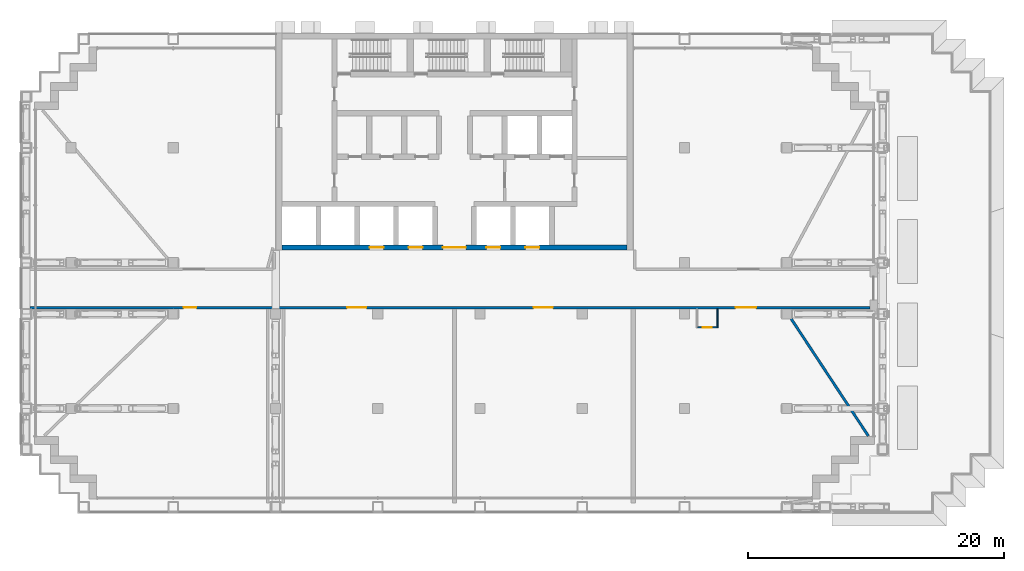
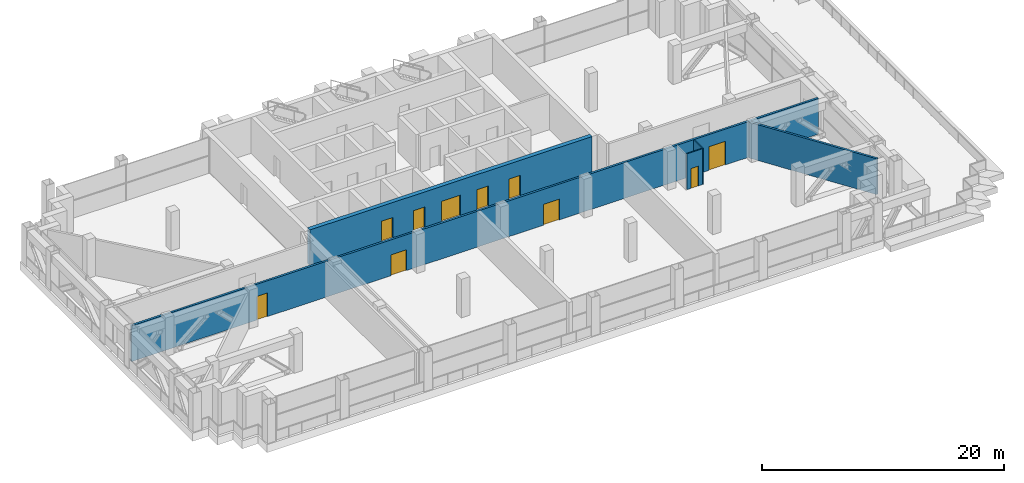
# One storey, part 9 of 25: 10 doors, 5 walls, 10 openings.
"""IFC4 building model written with IfcOpenShell, lengths in metres."""

from ifc_helpers import new_model, si_unit, direction, frame, frame_2d, origin, place, context, subcontext, project, spatial, rectangle, extrude, material, layer, layer_set, type_object, element, fill, save


model = new_model("IFC4")

# Units and contexts
model_context = context("Model", 3, precision=1e-05, world=origin(), true_north=direction((0.0, 1.0)))
body_context = subcontext(model_context, "Body", "Model", "MODEL_VIEW")
ifc_project = project(units=[si_unit("LENGTHUNIT", "METRE"), si_unit("AREAUNIT", "SQUARE_METRE"), si_unit("VOLUMEUNIT", "CUBIC_METRE"), si_unit("PLANEANGLEUNIT", "RADIAN"), si_unit("MASSUNIT", "GRAM", prefix="KILO")], contexts=[model_context])

# Site, building, storey
site_placement = place(None, origin())
site = spatial("IfcSite", under=ifc_project, at=site_placement, CompositionType="ELEMENT")
building_placement = place(site_placement, origin())
building = spatial("IfcBuilding", under=site, at=building_placement, Name="Vidyagriha Tower", CompositionType="ELEMENT")
storey_placement = place(building_placement, frame((0.0, 0.0, 115.89990234375)))
storey = spatial("IfcBuildingStorey", under=building, at=storey_placement, Name="L29", CompositionType="ELEMENT", Elevation=115.89990234375)

# Wall, openings, doors
ifc_material_1 = material(Name="Concrete C60/75", Category="concrete")
ifc_layer_1 = layer(ifc_material_1, 0.39990234375)
ifc_layer_set_1 = layer_set([ifc_layer_1], Name="Concrete C60/75")
wall_type_1 = type_object("IfcWallType", Name="Core shear wall 400 mm", PredefinedType="SHEAR", material=ifc_layer_set_1)
wall_1_placement = place(storey_placement, frame((-13.5, 3.199951171875, 0.0)))
wall_1 = element("IfcWall", 1, at=wall_1_placement, inside=storey, type_object=wall_type_1, Name="Core front wall", PredefinedType="SHEAR", context=body_context, shape_type="SweptSolid", body=[
    extrude(rectangle(XDim=27.0, YDim=0.39990234375, at=frame_2d((13.5, 0.0))), origin(), (0.0, 0.0, 1.0), 3.6201171875),
])
opening_1_placement = place(wall_1_placement, frame((6.861083984375, 0.0, 0.0)))
opening_1 = element("IfcOpeningElement", 2, at=opening_1_placement, cuts=wall_1, Name="Opening LD29-01", PredefinedType="OPENING", context=body_context, shape_type="SweptSolid", body=[
    extrude(rectangle(XDim=1.10009765625, YDim=2.10009765625, at=frame_2d((0.550048828125, 1.050048828125))), frame((0.0, 0.2099609375, 0.0), z_axis=(0.0, -1.0, 0.0), x_axis=(1.0, 0.0, 0.0)), (0.0, 0.0, 1.0), 0.419921875),
])
opening_2_placement = place(wall_1_placement, frame((9.905517578125, 0.0, 0.0)))
opening_2 = element("IfcOpeningElement", 3, at=opening_2_placement, cuts=wall_1, Name="Opening LD29-02", PredefinedType="OPENING", context=body_context, shape_type="SweptSolid", body=[
    extrude(rectangle(XDim=1.10009765625, YDim=2.10009765625, at=frame_2d((0.550048828125, 1.050048828125))), frame((0.0, 0.2099609375, 0.0), z_axis=(0.0, -1.0, 0.0), x_axis=(1.0, 0.0, 0.0)), (0.0, 0.0, 1.0), 0.419921875),
])
opening_3_placement = place(wall_1_placement, frame((15.994384765625, 0.0, 0.0)))
opening_3 = element("IfcOpeningElement", 4, at=opening_3_placement, cuts=wall_1, Name="Opening LD29-03", PredefinedType="OPENING", context=body_context, shape_type="SweptSolid", body=[
    extrude(rectangle(XDim=1.10009765625, YDim=2.10009765625, at=frame_2d((0.550048828125, 1.050048828125))), frame((0.0, 0.2099609375, 0.0), z_axis=(0.0, -1.0, 0.0), x_axis=(1.0, 0.0, 0.0)), (0.0, 0.0, 1.0), 0.419921875),
])
opening_4_placement = place(wall_1_placement, frame((19.038818359375, 0.0, 0.0)))
opening_4 = element("IfcOpeningElement", 5, at=opening_4_placement, cuts=wall_1, Name="Opening LD29-04", PredefinedType="OPENING", context=body_context, shape_type="SweptSolid", body=[
    extrude(rectangle(XDim=1.10009765625, YDim=2.10009765625, at=frame_2d((0.550048828125, 1.050048828125))), frame((0.0, 0.2099609375, 0.0), z_axis=(0.0, -1.0, 0.0), x_axis=(1.0, 0.0, 0.0)), (0.0, 0.0, 1.0), 0.419921875),
])
opening_5_placement = place(wall_1_placement, frame((12.60009765625, 0.0, 0.0)))
opening_5 = element("IfcOpeningElement", 6, at=opening_5_placement, cuts=wall_1, Name="Opening D29-02", PredefinedType="OPENING", context=body_context, shape_type="SweptSolid", body=[
    extrude(rectangle(XDim=1.800048828125, YDim=2.10009765625, at=frame_2d((0.89990234375, 1.050048828125))), frame((0.0, 0.2099609375, 0.0), z_axis=(0.0, -1.0, 0.0), x_axis=(1.0, 0.0, 0.0)), (0.0, 0.0, 1.0), 0.419921875),
])
ifc_material_2 = material(Name="Hollow metal door leaf")
door_type_1 = type_object("IfcDoorType", Name="Core lobby double door 1800 x 2100 mm EI 60", OperationType="NOTDEFINED", PredefinedType="DOOR", material=ifc_material_2)
door_1_placement = place(opening_5_placement, frame((1.800048828125, 0.0, 0.0), z_axis=(0.0, 0.0, 1.0), x_axis=(-1.0, 0.0, 0.0)))
door_1 = element("IfcDoor", 7, at=door_1_placement, inside=storey, type_object=door_type_1, Name="Core entrance door L29", OperationType="DOUBLE_DOOR_SINGLE_SWING", OverallHeight=2.10009765625, OverallWidth=1.800048828125, PredefinedType="DOOR", context=body_context, shape_type="SweptSolid", body=[
    extrude(rectangle(XDim=1.800048828125, YDim=2.10009765625, at=frame_2d((0.89990234375, 1.050048828125))), frame((0.0, 0.02490234375, 0.0), z_axis=(0.0, -1.0, 0.0), x_axis=(1.0, 0.0, 0.0)), (0.0, 0.0, 1.0), 0.050048828125),
])
fill(opening_5, door_1)
ifc_material_3 = material(Name="Stainless steel sliding door panel", Category="steel")
door_type_2 = type_object("IfcDoorType", Name="Lift landing door 1100 x 2100 mm EI 90", OperationType="NOTDEFINED", PredefinedType="DOOR", material=ifc_material_3)
door_2_placement = place(opening_1_placement, origin())
door_2 = element("IfcDoor", 8, at=door_2_placement, inside=storey, type_object=door_type_2, Name="Landing door LR1 L29", OperationType="SLIDING_TO_LEFT", OverallHeight=2.10009765625, OverallWidth=1.10009765625, PredefinedType="DOOR", context=body_context, shape_type="SweptSolid", body=[
    extrude(rectangle(XDim=1.10009765625, YDim=2.10009765625, at=frame_2d((0.550048828125, 1.050048828125))), frame((0.0, 0.02490234375, 0.0), z_axis=(0.0, -1.0, 0.0), x_axis=(1.0, 0.0, 0.0)), (0.0, 0.0, 1.0), 0.050048828125),
])
fill(opening_1, door_2)
door_3_placement = place(opening_2_placement, origin())
door_3 = element("IfcDoor", 9, at=door_3_placement, inside=storey, type_object=door_type_2, Name="Landing door LR2 L29", OperationType="SLIDING_TO_LEFT", OverallHeight=2.10009765625, OverallWidth=1.10009765625, PredefinedType="DOOR", context=body_context, shape_type="SweptSolid", body=[
    extrude(rectangle(XDim=1.10009765625, YDim=2.10009765625, at=frame_2d((0.550048828125, 1.050048828125))), frame((0.0, 0.02490234375, 0.0), z_axis=(0.0, -1.0, 0.0), x_axis=(1.0, 0.0, 0.0)), (0.0, 0.0, 1.0), 0.050048828125),
])
fill(opening_2, door_3)
door_4_placement = place(opening_3_placement, origin())
door_4 = element("IfcDoor", 10, at=door_4_placement, inside=storey, type_object=door_type_2, Name="Landing door LR3 L29", OperationType="SLIDING_TO_LEFT", OverallHeight=2.10009765625, OverallWidth=1.10009765625, PredefinedType="DOOR", context=body_context, shape_type="SweptSolid", body=[
    extrude(rectangle(XDim=1.10009765625, YDim=2.10009765625, at=frame_2d((0.550048828125, 1.050048828125))), frame((0.0, 0.02490234375, 0.0), z_axis=(0.0, -1.0, 0.0), x_axis=(1.0, 0.0, 0.0)), (0.0, 0.0, 1.0), 0.050048828125),
])
fill(opening_3, door_4)
door_5_placement = place(opening_4_placement, origin())
door_5 = element("IfcDoor", 11, at=door_5_placement, inside=storey, type_object=door_type_2, Name="Landing door LR4 L29", OperationType="SLIDING_TO_LEFT", OverallHeight=2.10009765625, OverallWidth=1.10009765625, PredefinedType="DOOR", context=body_context, shape_type="SweptSolid", body=[
    extrude(rectangle(XDim=1.10009765625, YDim=2.10009765625, at=frame_2d((0.550048828125, 1.050048828125))), frame((0.0, 0.02490234375, 0.0), z_axis=(0.0, -1.0, 0.0), x_axis=(1.0, 0.0, 0.0)), (0.0, 0.0, 1.0), 0.050048828125),
])
fill(opening_4, door_5)

ifc_material_4 = material(Name="Blockwork 15 MPa", Category="masonry")
ifc_layer_2 = layer(ifc_material_4, 0.199951171875)
ifc_layer_set_2 = layer_set([ifc_layer_2], Name="Blockwork 15 MPa")
wall_type_2 = type_object("IfcWallType", Name="Service room partition 200 mm", PredefinedType="PARTITIONING", material=ifc_layer_set_2)
wall_2_placement = place(storey_placement, frame((-33.199951171875, -1.5, 0.0)))
wall_2 = element("IfcWall", 12, at=wall_2_placement, inside=storey, type_object=wall_type_2, Name="Plant corridor south wall", PredefinedType="PARTITIONING", context=body_context, shape_type="SweptSolid", body=[
    extrude(rectangle(XDim=65.699951171875, YDim=0.199951171875, at=frame_2d((32.85009765625, 0.0))), origin(), (0.0, 0.0, 1.0), 3.6201171875),
])
opening_6_placement = place(wall_2_placement, frame((24.800048828125, 0.0, 0.0)))
opening_6 = element("IfcOpeningElement", 13, at=opening_6_placement, cuts=wall_2, Name="Opening D29-16", PredefinedType="OPENING", context=body_context, shape_type="SweptSolid", body=[
    extrude(rectangle(XDim=1.5, YDim=2.10009765625, at=frame_2d((0.75, 1.050048828125))), frame((0.0, 0.10986328125, 0.0), z_axis=(0.0, -1.0, 0.0), x_axis=(1.0, 0.0, 0.0)), (0.0, 0.0, 1.0), 0.219970703125),
])
opening_7_placement = place(wall_2_placement, frame((39.39990234375, 0.0, 0.0)))
opening_7 = element("IfcOpeningElement", 14, at=opening_7_placement, cuts=wall_2, Name="Opening D29-17", PredefinedType="OPENING", context=body_context, shape_type="SweptSolid", body=[
    extrude(rectangle(XDim=1.5, YDim=2.10009765625, at=frame_2d((0.75, 1.050048828125))), frame((0.0, 0.10986328125, 0.0), z_axis=(0.0, -1.0, 0.0), x_axis=(1.0, 0.0, 0.0)), (0.0, 0.0, 1.0), 0.219970703125),
])
opening_8_placement = place(wall_2_placement, frame((55.199951171875, 0.0, 0.0)))
opening_8 = element("IfcOpeningElement", 15, at=opening_8_placement, cuts=wall_2, Name="Opening D29-18", PredefinedType="OPENING", context=body_context, shape_type="SweptSolid", body=[
    extrude(rectangle(XDim=1.60009765625, YDim=2.39990234375, at=frame_2d((0.800048828125, 1.199951171875))), frame((0.0, 0.10986328125, 0.0), z_axis=(0.0, -1.0, 0.0), x_axis=(1.0, 0.0, 0.0)), (0.0, 0.0, 1.0), 0.219970703125),
])
opening_9_placement = place(wall_2_placement, frame((12.0, 0.0, 0.0)))
opening_9 = element("IfcOpeningElement", 16, at=opening_9_placement, cuts=wall_2, Name="Opening D29-20", PredefinedType="OPENING", context=body_context, shape_type="SweptSolid", body=[
    extrude(rectangle(XDim=1.0, YDim=2.39990234375, at=frame_2d((0.5, 1.199951171875))), frame((0.0, 0.10986328125, 0.0), z_axis=(0.0, -1.0, 0.0), x_axis=(1.0, 0.0, 0.0)), (0.0, 0.0, 1.0), 0.219970703125),
])
ifc_material_5 = material(Name="Hollow metal door leaf")
door_type_3 = type_object("IfcDoorType", Name="Electrical room door 1000 x 2400 mm EI 90", OperationType="NOTDEFINED", PredefinedType="DOOR", material=ifc_material_5)
door_6_placement = place(opening_9_placement, origin())
door_6 = element("IfcDoor", 17, at=door_6_placement, inside=storey, type_object=door_type_3, Name="Door Transformer Room 29.04", OperationType="SINGLE_SWING_LEFT", OverallHeight=2.39990234375, OverallWidth=1.0, PredefinedType="DOOR", context=body_context, shape_type="SweptSolid", body=[
    extrude(rectangle(XDim=1.0, YDim=2.39990234375, at=frame_2d((0.5, 1.199951171875))), frame((0.0, 0.02490234375, 0.0), z_axis=(0.0, -1.0, 0.0), x_axis=(1.0, 0.0, 0.0)), (0.0, 0.0, 1.0), 0.050048828125),
])
fill(opening_9, door_6)
ifc_material_6 = material(Name="Hollow metal door leaf")
door_type_4 = type_object("IfcDoorType", Name="Plant room double door 1600 x 2400 mm EI 90", OperationType="NOTDEFINED", PredefinedType="DOOR", material=ifc_material_6)
door_7_placement = place(opening_8_placement, origin())
door_7 = element("IfcDoor", 18, at=door_7_placement, inside=storey, type_object=door_type_4, Name="Door Telecommunications Room 29.03", OperationType="DOUBLE_DOOR_SINGLE_SWING", OverallHeight=2.39990234375, OverallWidth=1.60009765625, PredefinedType="DOOR", context=body_context, shape_type="SweptSolid", body=[
    extrude(rectangle(XDim=1.60009765625, YDim=2.39990234375, at=frame_2d((0.800048828125, 1.199951171875))), frame((0.0, 0.02490234375, 0.0), z_axis=(0.0, -1.0, 0.0), x_axis=(1.0, 0.0, 0.0)), (0.0, 0.0, 1.0), 0.050048828125),
])
fill(opening_8, door_7)
ifc_material_7 = material(Name="Hollow metal door leaf")
door_type_5 = type_object("IfcDoorType", Name="Refuge area double door 1500 x 2100 mm EI 90", OperationType="NOTDEFINED", PredefinedType="DOOR", material=ifc_material_7)
door_8_placement = place(opening_6_placement, origin())
door_8 = element("IfcDoor", 19, at=door_8_placement, inside=storey, type_object=door_type_5, Name="Door Refuge Area 29.1", OperationType="DOUBLE_DOOR_SINGLE_SWING", OverallHeight=2.10009765625, OverallWidth=1.5, PredefinedType="DOOR", context=body_context, shape_type="SweptSolid", body=[
    extrude(rectangle(XDim=1.5, YDim=2.10009765625, at=frame_2d((0.75, 1.050048828125))), frame((0.0, 0.02490234375, 0.0), z_axis=(0.0, -1.0, 0.0), x_axis=(1.0, 0.0, 0.0)), (0.0, 0.0, 1.0), 0.050048828125),
])
fill(opening_6, door_8)
door_9_placement = place(opening_7_placement, origin())
door_9 = element("IfcDoor", 20, at=door_9_placement, inside=storey, type_object=door_type_5, Name="Door Refuge Area 29.2", OperationType="DOUBLE_DOOR_SINGLE_SWING", OverallHeight=2.10009765625, OverallWidth=1.5, PredefinedType="DOOR", context=body_context, shape_type="SweptSolid", body=[
    extrude(rectangle(XDim=1.5, YDim=2.10009765625, at=frame_2d((0.75, 1.050048828125))), frame((0.0, 0.02490234375, 0.0), z_axis=(0.0, -1.0, 0.0), x_axis=(1.0, 0.0, 0.0)), (0.0, 0.0, 1.0), 0.050048828125),
])
fill(opening_7, door_9)

# Walls
wall_3_placement = place(storey_placement, frame((25.863037109375, -1.650146484375, 0.0), z_axis=(0.0, 0.0, 1.0), x_axis=(0.550181517004, -0.835045087613, 0.0)))
element("IfcWall", 21, at=wall_3_placement, inside=storey, type_object=wall_type_2, Name="Plant room wall", PredefinedType="PARTITIONING", context=body_context, shape_type="SweptSolid", body=[
    extrude(rectangle(XDim=11.853759765625, YDim=0.199951171875, at=frame_2d((5.9267578125, 0.0))), origin(), (0.0, 0.0, 1.0), 3.6201171875),
])
ifc_material_8 = material(Name="Gypsum shaft liner")
ifc_layer_3 = layer(ifc_material_8, 0.10009765625)
ifc_layer_set_3 = layer_set([ifc_layer_3], Name="Gypsum shaft liner")
wall_type_3 = type_object("IfcWallType", Name="Shaft liner wall 100 mm", PredefinedType="PARTITIONING", material=ifc_layer_set_3)
wall_4_placement = place(storey_placement, frame((20.574951171875, -1.60009765625, 0.0), z_axis=(0.0, 0.0, 1.0), x_axis=(0.0, -1.0, 0.0)))
element("IfcWall", 22, at=wall_4_placement, inside=storey, type_object=wall_type_3, Name="Riser liner wall", PredefinedType="PARTITIONING", context=body_context, shape_type="SweptSolid", body=[
    extrude(rectangle(XDim=1.5, YDim=0.10009765625, at=frame_2d((0.75, 0.0))), origin(), (0.0, 0.0, 1.0), 3.6201171875),
])

# Wall, opening, door
wall_5_placement = place(storey_placement, frame((19.02490234375, -3.050048828125, 0.0)))
wall_5 = element("IfcWall", 23, at=wall_5_placement, inside=storey, type_object=wall_type_3, Name="Riser liner wall", PredefinedType="PARTITIONING", context=body_context, shape_type="SweptSolid", body=[
    extrude(rectangle(XDim=1.5, YDim=0.10009765625, at=frame_2d((0.75, 0.0))), origin(), (0.0, 0.0, 1.0), 3.6201171875),
])
opening_10_placement = place(wall_5_placement, frame((0.39990234375, 0.0, 0.0)))
opening_10 = element("IfcOpeningElement", 24, at=opening_10_placement, cuts=wall_5, Name="Opening D29-19", PredefinedType="OPENING", context=body_context, shape_type="SweptSolid", body=[
    extrude(rectangle(XDim=0.699951171875, YDim=2.0, at=frame_2d((0.35009765625, 1.0))), frame((0.0, 0.06005859375, 0.0), z_axis=(0.0, -1.0, 0.0), x_axis=(1.0, 0.0, 0.0)), (0.0, 0.0, 1.0), 0.1201171875),
])
ifc_material_9 = material(Name="Hollow metal door leaf")
door_type_6 = type_object("IfcDoorType", Name="Riser access door 700 x 2000 mm EI 60", OperationType="NOTDEFINED", PredefinedType="DOOR", material=ifc_material_9)
door_10_placement = place(opening_10_placement, frame((0.699951171875, 0.0, 0.0), z_axis=(0.0, 0.0, 1.0), x_axis=(-1.0, 0.0, 0.0)))
door_10 = element("IfcDoor", 25, at=door_10_placement, inside=storey, type_object=door_type_6, Name="Door riser duct 29.03", OperationType="SINGLE_SWING_LEFT", OverallHeight=2.0, OverallWidth=0.699951171875, PredefinedType="DOOR", context=body_context, shape_type="SweptSolid", body=[
    extrude(rectangle(XDim=0.699951171875, YDim=2.0, at=frame_2d((0.35009765625, 1.0))), frame((0.0, 0.02490234375, 0.0), z_axis=(0.0, -1.0, 0.0), x_axis=(1.0, 0.0, 0.0)), (0.0, 0.0, 1.0), 0.050048828125),
])
fill(opening_10, door_10)

save(model, "model.ifc")
